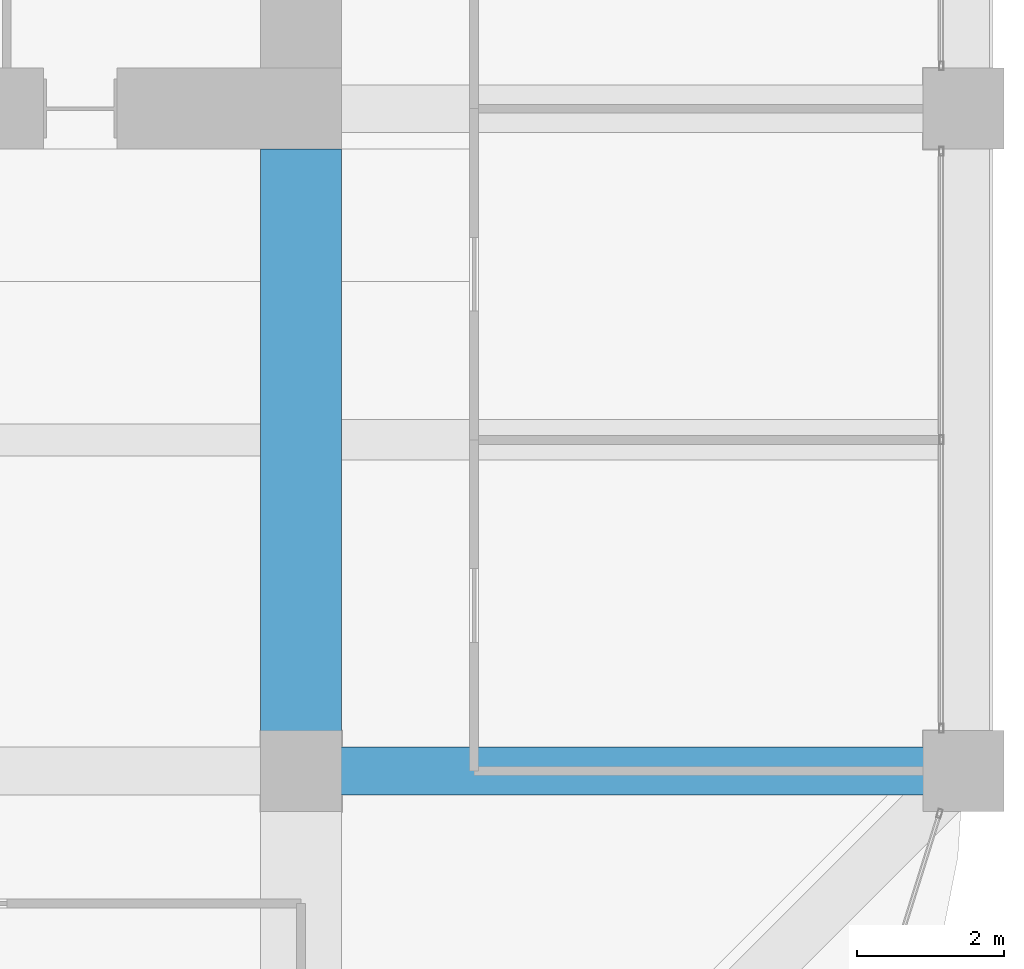
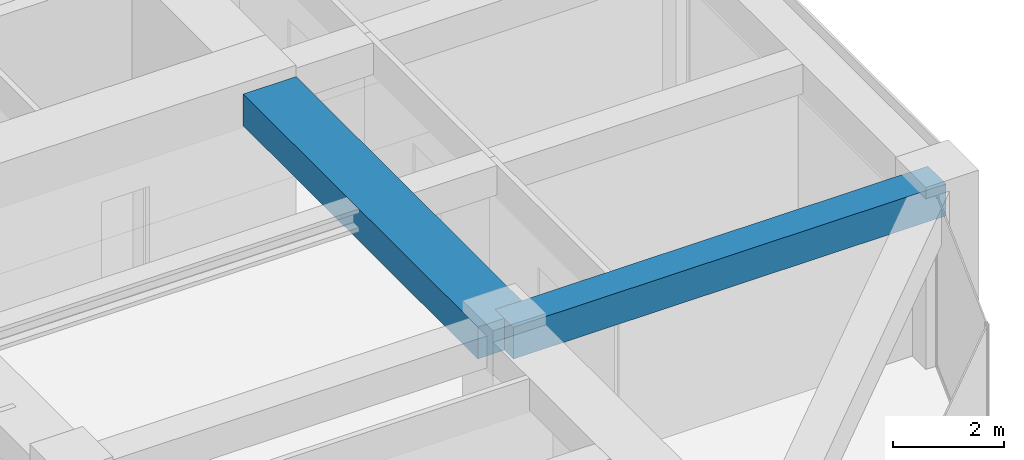
# One storey, part 21 of 44: 2 beams.
"""IFC4 building model written with IfcOpenShell, lengths in metres."""

from ifc_helpers import new_model, si_unit, direction, frame, origin, origin_2d, place, context, subcontext, project, spatial, rectangle, extrude, material, material_profile, profile_set, type_object, element, save


model = new_model("IFC4")

# Units and contexts
model_context = context("Model", 3, precision=1e-05, world=origin(), true_north=direction((0.0, 1.0)))
body_context = subcontext(model_context, "Body", "Model", "MODEL_VIEW")
ifc_project = project(units=[si_unit("LENGTHUNIT", "METRE"), si_unit("AREAUNIT", "SQUARE_METRE"), si_unit("VOLUMEUNIT", "CUBIC_METRE"), si_unit("PLANEANGLEUNIT", "RADIAN"), si_unit("MASSUNIT", "GRAM", prefix="KILO")], contexts=[model_context])

# Site, building, storey
site_placement = place(None, origin())
site = spatial("IfcSite", under=ifc_project, at=site_placement, CompositionType="ELEMENT")
building_placement = place(site_placement, origin())
building = spatial("IfcBuilding", under=site, at=building_placement, Name="Zorevar Civic Tower", CompositionType="ELEMENT")
storey_placement = place(building_placement, frame((0.0, 0.0, 271.39990234375)))
storey = spatial("IfcBuildingStorey", under=building, at=storey_placement, Name="L66", CompositionType="ELEMENT", Elevation=271.39990234375)

# Beams
ifc_material_1 = material(Name="Concrete C50/60", Category="concrete")
ifc_material_profile_1 = material_profile(ifc_material_1, rectangle(XDim=1.10009765625, YDim=0.699951171875, at=origin_2d()), Name="RC 1100x700")
ifc_profile_set_1 = profile_set([ifc_material_profile_1], Name="Concrete C50/60")
beam_type_1 = type_object("IfcBeamType", Name="Beam RC 1100x700", PredefinedType="BEAM", material=ifc_profile_set_1)
beam_1_placement = place(storey_placement, frame((45.0, 9.0, 3.400146484375), z_axis=(0.0, 1.0, 0.0), x_axis=(-1.0, 0.0, 0.0)))
element("IfcBeam", 1, at=beam_1_placement, inside=storey, type_object=beam_type_1, Name="Girder L67", PredefinedType="BEAM", context=body_context, shape_type="SweptSolid", body=[
    extrude(rectangle(XDim=1.10009765625, YDim=0.699951171875, at=origin_2d()), origin(), (0.0, 0.0, 1.0), 8.449951171875),
])
ifc_material_2 = material(Name="Concrete C50/60", Category="concrete")
ifc_material_profile_2 = material_profile(ifc_material_2, rectangle(XDim=0.64990234375, YDim=0.699951171875, at=origin_2d()), Name="RC 650x700")
ifc_profile_set_2 = profile_set([ifc_material_profile_2], Name="Concrete C50/60")
beam_type_2 = type_object("IfcBeamType", Name="Beam RC 650x700", PredefinedType="BEAM", material=ifc_profile_set_2)
beam_2_placement = place(storey_placement, frame((45.0, 9.0, 3.400146484375), z_axis=(1.0, 0.0, 0.0), x_axis=(0.0, 1.0, 0.0)))
element("IfcBeam", 2, at=beam_2_placement, inside=storey, type_object=beam_type_2, Name="Girder L67", PredefinedType="BEAM", context=body_context, shape_type="SweptSolid", body=[
    extrude(rectangle(XDim=0.64990234375, YDim=0.699951171875, at=origin_2d()), origin(), (0.0, 0.0, 1.0), 9.0),
])

save(model, "model.ifc")
